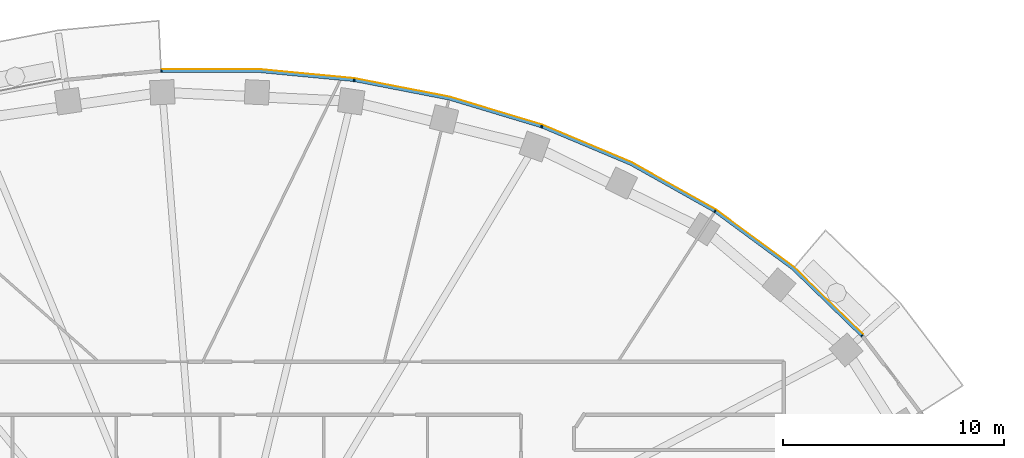
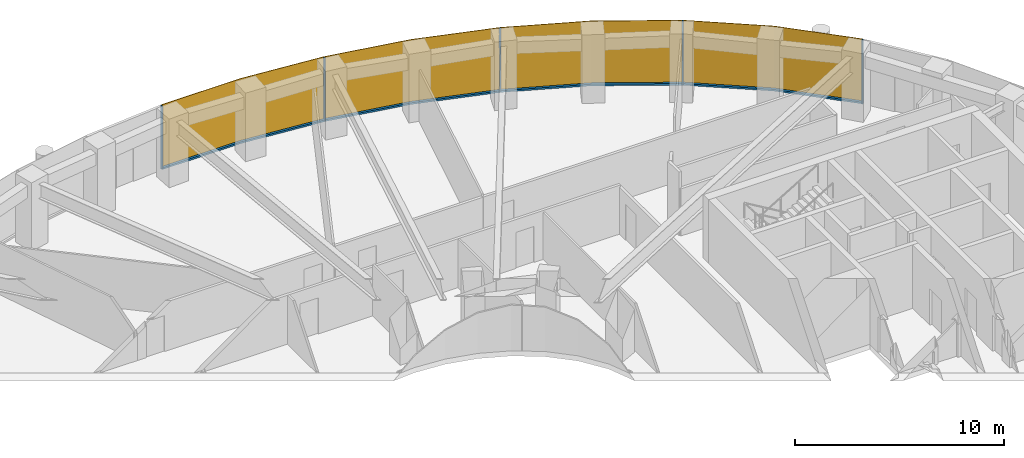
# One storey, part 13 of 16: 9 members, 1 curtain wall.
"""IFC4 building model written with IfcOpenShell, lengths in metres."""

from ifc_helpers import new_model, si_unit, direction, frame, origin, origin_2d, place, context, subcontext, project, spatial, polyline, rectangle, outline, extrude, material, layer, layer_set, material_profile, profile_set, type_object, element, aggregate, save


model = new_model("IFC4")

# Units and contexts
model_context = context("Model", 3, precision=1e-05, world=origin(), true_north=direction((0.0, 1.0)))
body_context = subcontext(model_context, "Body", "Model", "MODEL_VIEW")
ifc_project = project(units=[si_unit("LENGTHUNIT", "METRE"), si_unit("AREAUNIT", "SQUARE_METRE"), si_unit("VOLUMEUNIT", "CUBIC_METRE"), si_unit("PLANEANGLEUNIT", "RADIAN"), si_unit("MASSUNIT", "GRAM", prefix="KILO")], contexts=[model_context])

# Member
ifc_material_1 = material(Name="Aluminium 6063-T6 black anodised", Category="aluminium")
ifc_material_profile = material_profile(ifc_material_1, rectangle(XDim=0.1201171875, YDim=0.06005859375, at=origin_2d()), Name="120x60")
ifc_profile_set = profile_set([ifc_material_profile], Name="Aluminium 6063-T6 black anodised")
member_type_1 = type_object("IfcMemberType", Name="ENV-MULLION-A-120", PredefinedType="MULLION", material=ifc_profile_set)
site_placement = place(None, origin())
building_placement = place(site_placement, origin())
storey_placement = place(building_placement, frame((0.0, 0.0, 245.5)))
member_1_placement = place(storey_placement, frame((29.53857421875, 15.8671875, 0.0), z_axis=(0.0, 0.0, 1.0), x_axis=(-0.749047221705, -0.662516610853, 0.0)))
member_1 = element("IfcMember", 1, at=member_1_placement, type_object=member_type_1, Name="Mullion A radial 05", PredefinedType="MULLION", context=body_context, shape_type="SweptSolid", body=[
    extrude(rectangle(XDim=0.1201171875, YDim=0.06005859375, at=origin_2d()), origin(), (0.0, 0.0, 1.0), 3.699951171875),
])

member_2_placement = place(storey_placement, frame((22.882568359375, 21.506591796875, 0.0), z_axis=(0.0, 0.0, 1.0), x_axis=(-0.542279153225, -0.840198381323, 0.0)))
member_2 = element("IfcMember", 2, at=member_2_placement, type_object=member_type_1, Name="Mullion A radial 07", PredefinedType="MULLION", context=body_context, shape_type="SweptSolid", body=[
    extrude(rectangle(XDim=0.1201171875, YDim=0.06005859375, at=origin_2d()), origin(), (0.0, 0.0, 1.0), 3.699951171875),
])

member_3_placement = place(storey_placement, frame((15.0341796875, 25.34375, 0.0), z_axis=(0.0, 0.0, 1.0), x_axis=(-0.338379256581, -0.941009818608, 0.0)))
member_3 = element("IfcMember", 3, at=member_3_placement, type_object=member_type_1, Name="Mullion A radial 09", PredefinedType="MULLION", context=body_context, shape_type="SweptSolid", body=[
    extrude(rectangle(XDim=0.1201171875, YDim=0.06005859375, at=origin_2d()), origin(), (0.0, 0.0, 1.0), 3.699951171875),
])

member_4_placement = place(storey_placement, frame((6.54638671875, 27.440185546875, 0.0), z_axis=(0.0, 0.0, 1.0), x_axis=(-0.143082012705, -0.989710835366, 0.0)))
member_4 = element("IfcMember", 4, at=member_4_placement, type_object=member_type_1, Name="Mullion A radial 11", PredefinedType="MULLION", context=body_context, shape_type="SweptSolid", body=[
    extrude(rectangle(XDim=0.1201171875, YDim=0.06005859375, at=origin_2d()), origin(), (0.0, 0.0, 1.0), 3.699951171875),
])

member_5_placement = place(storey_placement, frame((-2.188720703125, 27.856201171875, 0.0), z_axis=(0.0, 0.0, 1.0), x_axis=(0.047557873581, -0.998868484166, 0.0)))
member_5 = element("IfcMember", 5, at=member_5_placement, type_object=member_type_1, Name="Mullion A radial 13", PredefinedType="MULLION", context=body_context, shape_type="SweptSolid", body=[
    extrude(rectangle(XDim=0.1201171875, YDim=0.06005859375, at=origin_2d()), origin(), (0.0, 0.0, 1.0), 3.699951171875),
])

ifc_material_2 = material(Name="Aluminium 6063-T6 black anodised", Category="aluminium")
member_type_2 = type_object("IfcMemberType", Name="ENV-TRANSOM-A", PredefinedType="USERDEFINED", material=ifc_material_2)
member_6_placement = place(storey_placement, origin())
member_6 = element("IfcMember", 6, at=member_6_placement, type_object=member_type_2, Name="Transom A radial 05-07", ObjectType="TRANSOM", PredefinedType="USERDEFINED", context=body_context, shape_type="SweptSolid", body=[
    extrude(outline(polyline([(29.5634765625, 15.926513671875), (26.4423828125, 18.958740234375), (22.937744140625, 21.540283203125), (22.87255859375, 21.439208984375), (26.364501953125, 18.866943359375), (29.473388671875, 15.8466796875), (29.5634765625, 15.926513671875)])), origin(), (0.0, 0.0, 1.0), 0.10009765625),
])

member_7_placement = place(storey_placement, origin())
member_7 = element("IfcMember", 7, at=member_7_placement, type_object=member_type_2, Name="Transom A radial 07-09", ObjectType="TRANSOM", PredefinedType="USERDEFINED", context=body_context, shape_type="SweptSolid", body=[
    extrude(outline(polyline([(22.890625, 21.570556640625), (19.093994140625, 23.701416015625), (15.080322265625, 25.389404296875), (15.03955078125, 25.276123046875), (19.041259765625, 23.593505859375), (22.825439453125, 21.469482421875), (22.890625, 21.570556640625)])), origin(), (0.0, 0.0, 1.0), 0.10009765625),
])

member_8_placement = place(storey_placement, origin())
member_8 = element("IfcMember", 8, at=member_8_placement, type_object=member_type_2, Name="Transom A radial 09-11", ObjectType="TRANSOM", PredefinedType="USERDEFINED", context=body_context, shape_type="SweptSolid", body=[
    extrude(outline(polyline([(15.027587890625, 25.408203125), (10.857666015625, 26.6630859375), (6.58251953125, 27.494140625), (6.5654296875, 27.375244140625), (10.828857421875, 26.54638671875), (14.987060546875, 25.295166015625), (15.027587890625, 25.408203125)])), origin(), (0.0, 0.0, 1.0), 0.10009765625),
])

member_9_placement = place(storey_placement, origin())
member_9 = element("IfcMember", 9, at=member_9_placement, type_object=member_type_2, Name="Transom A radial 11-13", ObjectType="TRANSOM", PredefinedType="USERDEFINED", context=body_context, shape_type="SweptSolid", body=[
    extrude(outline(polyline([(6.527099609375, 27.502197265625), (2.191650390625, 27.916015625), (-2.163818359375, 27.916015625), (-2.157958984375, 27.7958984375), (2.185791015625, 27.7958984375), (6.510009765625, 27.38330078125), (6.527099609375, 27.502197265625)])), origin(), (0.0, 0.0, 1.0), 0.10009765625),
])

# Site, building, storey
site = spatial("IfcSite", under=ifc_project, at=site_placement, CompositionType="ELEMENT")
building = spatial("IfcBuilding", under=site, at=building_placement, Name="Noorbagh Ring Tower", CompositionType="ELEMENT")
storey = spatial("IfcBuildingStorey", under=building, at=storey_placement, Name="L51", CompositionType="ELEMENT", Elevation=245.5)

# Curtain wall
ifc_material_3 = material(Name="Glass dark tinted laminated", Category="glass")
ifc_layer = layer(ifc_material_3, 0.031982421875)
ifc_layer_set = layer_set([ifc_layer], Name="Glass dark tinted laminated")
curtain_wall_type = type_object("IfcCurtainWallType", Name="ENV-CW-A", PredefinedType="NOTDEFINED", material=ifc_layer_set)
curtain_wall_placement = place(storey_placement, origin())
curtain_wall = element("IfcCurtainWall", 10, at=curtain_wall_placement, inside=storey, type_object=curtain_wall_type, Name="Curtain wall A R05", PredefinedType="NOTDEFINED", context=body_context, shape_type="SweptSolid", body=[
    extrude(outline(polyline([(29.59326171875, 15.942138671875), (26.463134765625, 18.9833984375), (22.9326171875, 21.583740234375), (19.108154296875, 23.730224609375), (15.065185546875, 25.430419921875), (10.865234375, 26.6943359375), (6.559814453125, 27.53125), (2.193115234375, 27.947998046875), (-2.173095703125, 27.947998046875), (-2.171630859375, 27.916015625), (2.191650390625, 27.916015625), (6.55517578125, 27.49951171875), (10.857666015625, 26.6630859375), (15.054443359375, 25.400146484375), (19.093994140625, 23.701416015625), (22.9150390625, 21.556884765625), (26.4423828125, 18.958740234375), (29.569091796875, 15.9208984375), (29.59326171875, 15.942138671875)])), origin(), (0.0, 0.0, 1.0), 3.699951171875),
])

aggregate(curtain_wall, [member_1, member_2, member_3, member_4, member_5, member_6, member_7, member_8, member_9])

save(model, "model.ifc")
